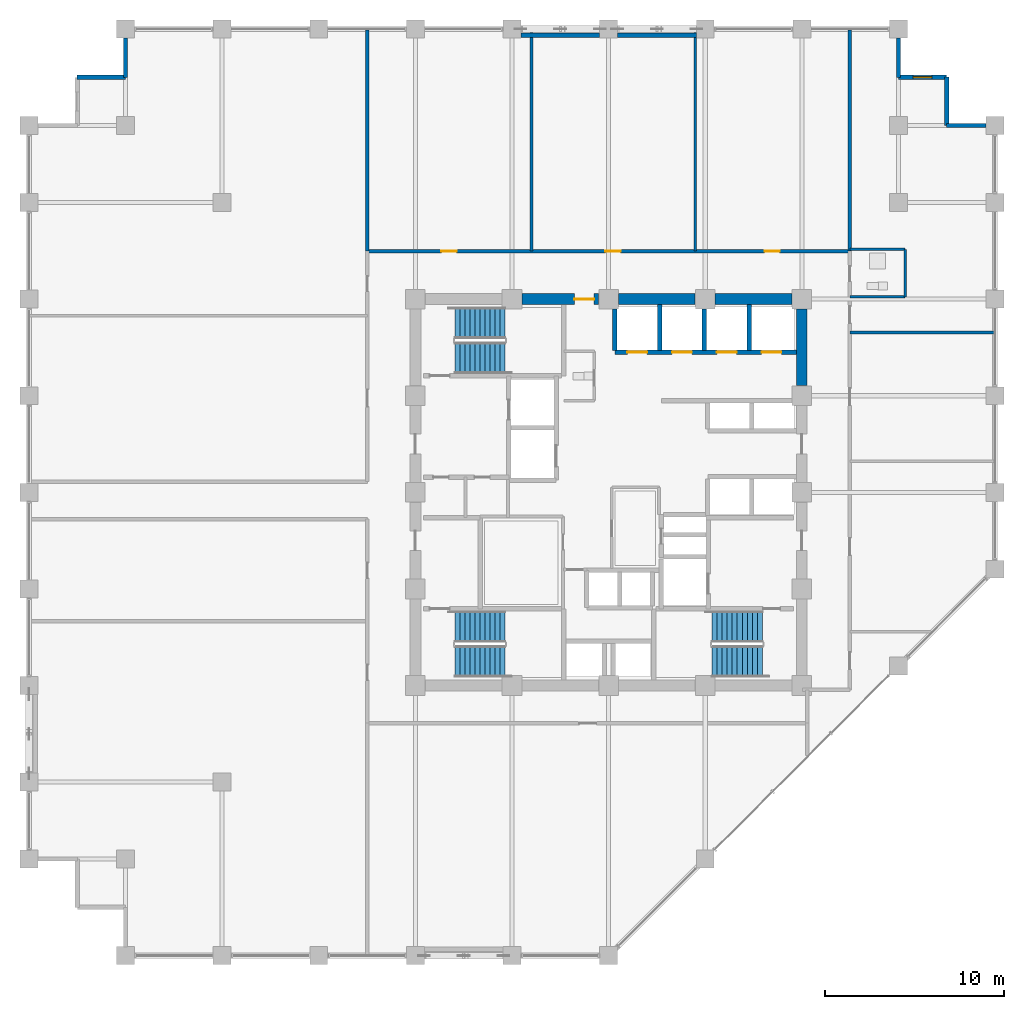
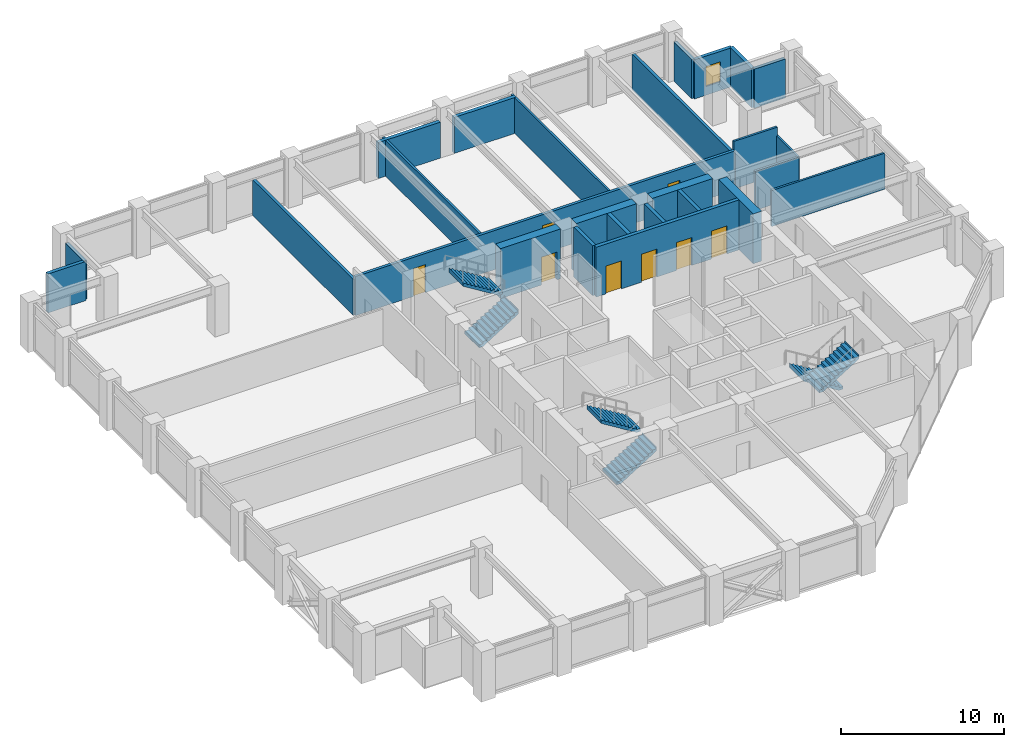
# One storey, part 21 of 23: 26 walls, 8 doors, 6 stair flights, 1 window, 9 openings, 3 elements without a shape of their own.
"""IFC4 building model written with IfcOpenShell, lengths in metres."""

import ifcopenshell
import ifcopenshell.guid

model = None  # the IFC model being written
_history = None  # IfcOwnerHistory: only IFC2X3 demands one
_inside = {}  # id of a spatial element -> (the spatial element, [elements in it])
_under = {}  # id of a project, library or spatial element -> (it, [spatial elements below it])
_declared = {}  # id of a project -> (the project, [libraries it declares])
_typed = {}  # id of a type object -> (the type object, [elements of that type])
_made_of = {}  # id of a material, layer set ... -> (it, [elements and type objects made of it])


def new_model(schema):
    """Start an empty IFC model of exactly this schema.

    Asked for "IFC4X3", IfcOpenShell would pick the latest addendum, in which some entities
    have other attributes; the version numbers below select the first issue.
    IFC2X3 requires an IfcOwnerHistory on every rooted entity: one is made here for all.
    """
    global model, _history
    if schema == "IFC4X3":
        model = ifcopenshell.file(schema_version=(4, 3, 0, 0))
    else:
        model = ifcopenshell.file(schema=schema)
    _inside.clear()
    _under.clear()
    _declared.clear()
    _typed.clear()
    _made_of.clear()
    _history = None
    if model.schema == "IFC2X3":
        org = make("IfcOrganization", Name="unknown")
        user = make(
            "IfcPersonAndOrganization",
            ThePerson=make("IfcPerson", FamilyName="unknown"),
            TheOrganization=org,
        )
        app = make(
            "IfcApplication",
            ApplicationDeveloper=org,
            Version="unknown",
            ApplicationFullName="unknown",
            ApplicationIdentifier="unknown",
        )
        _history = make(
            "IfcOwnerHistory",
            OwningUser=user,
            OwningApplication=app,
            ChangeAction="ADDED",
            CreationDate=0,
        )
    return model


def make(cls, **values):
    """One entity of the class cls with the attributes given. An attribute that is None is left unset."""
    return model.create_entity(
        cls, **{name: value for name, value in values.items() if value is not None}
    )


def rooted(cls, **values):
    """An entity with a GlobalId (a new one), such as an element, a storey or a relation."""
    return make(cls, GlobalId=ifcopenshell.guid.new(), OwnerHistory=_history, **values)


def si_unit(unit_type, name, prefix=None):
    """IfcSIUnit, for example si_unit("LENGTHUNIT", "METRE", prefix="MILLI")."""
    return make("IfcSIUnit", UnitType=unit_type, Prefix=prefix, Name=name)


def assignment(units):
    """IfcUnitAssignment: the units of a project."""
    return None if units is None else make("IfcUnitAssignment", Units=units)


def point(xyz):
    """IfcCartesianPoint."""
    return None if xyz is None else make("IfcCartesianPoint", Coordinates=xyz)


def direction(xyz):
    """IfcDirection."""
    return None if xyz is None else make("IfcDirection", DirectionRatios=xyz)


def frame(location, z_axis=None, x_axis=None):
    """IfcAxis2Placement3D, a coordinate frame: its origin and axes. An axis left out is left unset."""
    return make(
        "IfcAxis2Placement3D",
        Location=point(location),
        Axis=direction(z_axis),
        RefDirection=direction(x_axis),
    )


def frame_2d(location, x_axis=None):
    """IfcAxis2Placement2D, a coordinate frame in the plane: its origin and x axis."""
    return make(
        "IfcAxis2Placement2D", Location=point(location), RefDirection=direction(x_axis)
    )


def origin():
    """The frame at (0, 0, 0) with its axes left unset."""
    return frame((0.0, 0.0, 0.0))


def place(relative_to, where):
    """IfcLocalPlacement: puts the frame where relative to a parent placement (None: the world)."""
    return make(
        "IfcLocalPlacement", PlacementRelTo=relative_to, RelativePlacement=where
    )


def context(
    kind, dimensions, precision=None, world=None, true_north=None, identifier=None
):
    """IfcGeometricRepresentationContext, for example the 3D "Model" context."""
    return make(
        "IfcGeometricRepresentationContext",
        ContextIdentifier=identifier,
        ContextType=kind,
        CoordinateSpaceDimension=dimensions,
        Precision=precision,
        WorldCoordinateSystem=world,
        TrueNorth=true_north,
    )


def subcontext(parent, identifier, kind, view, scale=None):
    """IfcGeometricRepresentationSubContext, for example "Body" below "Model"."""
    return make(
        "IfcGeometricRepresentationSubContext",
        ContextIdentifier=identifier,
        ContextType=kind,
        ParentContext=parent,
        TargetScale=scale,
        TargetView=view,
    )


def project(units=None, contexts=None):
    """IfcProject with its units and contexts."""
    return rooted(
        "IfcProject",
        Name="project",
        RepresentationContexts=contexts,
        UnitsInContext=assignment(units),
    )


def spatial(cls, under=None, at=None, **own):
    """A site, building, storey or space (cls), placed at a placement, below another one or the project."""
    s = rooted(cls, ObjectPlacement=at, **own)
    if under is not None:
        _under.setdefault(under.id(), (under, []))[1].append(s)
    return s


def polyline(points):
    """IfcPolyline through the points."""
    return make("IfcPolyline", Points=[point(p) for p in points])


def profile(cls, at=None, kind="AREA", **sizes):
    """A parametric profile (cls). Its sizes go by their IFC names, for example OverallWidth=200.0."""
    return make(cls, ProfileType=kind, Position=at, **sizes)


def rectangle(**sizes):
    """IfcRectangleProfileDef."""
    return profile("IfcRectangleProfileDef", **sizes)


def outline(outer, holes=None, kind="AREA"):
    """IfcArbitraryClosedProfileDef: a profile drawn as a closed curve; with holes, ...WithVoids."""
    if holes is None:
        return make("IfcArbitraryClosedProfileDef", ProfileType=kind, OuterCurve=outer)
    return make(
        "IfcArbitraryProfileDefWithVoids",
        ProfileType=kind,
        OuterCurve=outer,
        InnerCurves=holes,
    )


def extrude(swept, where, along, depth):
    """IfcExtrudedAreaSolid: the profile swept, set in the frame where, extruded along a direction by depth."""
    return make(
        "IfcExtrudedAreaSolid",
        SweptArea=swept,
        Position=where,
        ExtrudedDirection=direction(along),
        Depth=depth,
    )


def shape(context_of_items, identifier, shape_type, items):
    """IfcShapeRepresentation: the items that make up one representation, for example the "Body"."""
    return make(
        "IfcShapeRepresentation",
        ContextOfItems=context_of_items,
        RepresentationIdentifier=identifier,
        RepresentationType=shape_type,
        Items=items,
    )


def material(Name=None, Category=None):
    """IfcMaterial."""
    return make("IfcMaterial", Name=Name, Category=Category)


def layer(
    of_material, thickness, ventilated=None, Name=None, Category=None, Priority=None
):
    """IfcMaterialLayer: one layer of a wall or slab, of a material (None: an air gap)."""
    return make(
        "IfcMaterialLayer",
        Material=of_material,
        LayerThickness=thickness,
        IsVentilated=ventilated,
        Name=Name,
        Category=Category,
        Priority=Priority,
    )


def layer_set(layers, Name=None):
    """IfcMaterialLayerSet."""
    return make("IfcMaterialLayerSet", MaterialLayers=layers, LayerSetName=Name)


def made_of(thing, what):
    """Note that an element or type object is made of a material, layer set ...; save() writes the relation."""
    if what is not None:
        _made_of.setdefault(what.id(), (what, []))[1].append(thing)
    return thing


def type_object(cls, material=None, **own):
    """A type object (cls), such as IfcWallType, which elements share."""
    return made_of(rooted(cls, **own), material)


def element(
    cls,
    number,
    at=None,
    inside=None,
    cuts=None,
    type_object=None,
    material=None,
    context=None,
    identifier="Body",
    shape_type=None,
    held_by="IfcProductDefinitionShape",
    body=None,
    shapes=None,
    **own,
):
    """One element of the class cls, such as IfcWall. Its Tag is "e" and its number.

    at: its placement. inside: the storey or other place that contains it. cuts: it is an
    opening in that element (IfcRelVoidsElement). A single representation is given by context,
    identifier, shape_type and body (its items); several are given by shapes. held_by: the class
    of the entity that holds the representations. save() writes the other relations.
    """
    e = rooted(cls, Tag="e%d" % number, ObjectPlacement=at, **own)
    if body is not None:
        shapes = [shape(context, identifier, shape_type, body)]
    if shapes is not None:
        e.Representation = make(held_by, Representations=shapes)
    if inside is not None:
        _inside.setdefault(inside.id(), (inside, []))[1].append(e)
    if cuts is not None:
        rooted(
            "IfcRelVoidsElement", RelatingBuildingElement=cuts, RelatedOpeningElement=e
        )
    if type_object is not None:
        _typed.setdefault(type_object.id(), (type_object, []))[1].append(e)
    return made_of(e, material)


def fill(opening, filler):
    """IfcRelFillsElement: the door or window that sits in an opening."""
    return rooted(
        "IfcRelFillsElement",
        RelatingOpeningElement=opening,
        RelatedBuildingElement=filler,
    )


def aggregate(whole, parts):
    """IfcRelAggregates: a whole, such as a stair, and the parts it consists of."""
    return rooted("IfcRelAggregates", RelatingObject=whole, RelatedObjects=parts)


def save(model, path):
    """Write the relations noted so far, then the file.

    IfcRelAggregates (storeys below a building ...), IfcRelContainedInSpatialStructure (elements
    in a storey), IfcRelDefinesByType, IfcRelAssociatesMaterial and IfcRelDeclares: one each for
    every whole, place, type object, material and project.
    """
    for whole, parts in _under.values():
        aggregate(whole, parts)
    for where, things in _inside.values():
        rooted(
            "IfcRelContainedInSpatialStructure",
            RelatedElements=things,
            RelatingStructure=where,
        )
    for kind, things in _typed.values():
        rooted("IfcRelDefinesByType", RelatedObjects=things, RelatingType=kind)
    for what, things in _made_of.values():
        rooted("IfcRelAssociatesMaterial", RelatedObjects=things, RelatingMaterial=what)
    for by, libraries in _declared.values():
        rooted("IfcRelDeclares", RelatingContext=by, RelatedDefinitions=libraries)
    model.write(path)


model = new_model("IFC4")

# Units and contexts
model_context = context("Model", 3, precision=1e-05, world=origin(), true_north=direction((0.0, 1.0)))
body_context = subcontext(model_context, "Body", "Model", "MODEL_VIEW")
ifc_project = project(units=[si_unit("LENGTHUNIT", "METRE"), si_unit("AREAUNIT", "SQUARE_METRE"), si_unit("VOLUMEUNIT", "CUBIC_METRE"), si_unit("PLANEANGLEUNIT", "RADIAN"), si_unit("MASSUNIT", "GRAM", prefix="KILO")], contexts=[model_context])

# Site, building, storey
site_placement = place(None, origin())
site = spatial("IfcSite", under=ifc_project, at=site_placement, CompositionType="ELEMENT")
building_placement = place(site_placement, origin())
building = spatial("IfcBuilding", under=site, at=building_placement, Name="Surkhivell Harbour Commons", CompositionType="ELEMENT")
storey_placement = place(building_placement, frame((0.0, 0.0, 135.75)))
storey = spatial("IfcBuildingStorey", under=building, at=storey_placement, Name="L35", CompositionType="ELEMENT", Elevation=135.75)

# Wall, opening, door
ifc_material_1 = material(Name="Concrete C60/75", Category="concrete")
ifc_layer_1 = layer(ifc_material_1, 0.60009765625)
ifc_layer_set_1 = layer_set([ifc_layer_1], Name="Concrete C60/75")
wall_type_1 = type_object("IfcWallType", Name="WAL-CORE-600", PredefinedType="SHEAR", material=ifc_layer_set_1)
wall_1_placement = place(storey_placement, frame((-4.840087890625, 10.800048828125, 0.0), z_axis=(0.0, 0.0, 1.0), x_axis=(1.0, 0.0, 0.0)))
wall_1 = element("IfcWall", 1, at=wall_1_placement, inside=storey, type_object=wall_type_1, Name="L35 Core Shear Wall North 2", PredefinedType="SHEAR", context=body_context, shape_type="SweptSolid", body=[
    extrude(rectangle(XDim=4.280029296875, YDim=0.60009765625, at=frame_2d((2.14013671875, 0.0))), origin(), (0.0, 0.0, 1.0), 3.75),
])
opening_1_placement = place(wall_1_placement, frame((2.929931640625, 0.0, 0.0)))
opening_1 = element("IfcOpeningElement", 2, at=opening_1_placement, cuts=wall_1, Name="Opening ID-2", PredefinedType="OPENING", context=body_context, shape_type="SweptSolid", body=[
    extrude(rectangle(XDim=1.10009765625, YDim=2.10009765625, at=frame_2d((0.550048828125, 1.050048828125))), frame((0.0, 0.31005859375, 0.0), z_axis=(0.0, -1.0, 0.0), x_axis=(1.0, 0.0, 0.0)), (0.0, 0.0, 1.0), 0.6201171875),
])
ifc_material_2 = material(Name="Hardwood-veneered fire-rated door leaf", Category="wood")
door_type_1 = type_object("IfcDoorType", Name="DOR-FD60-1100", OperationType="NOTDEFINED", PredefinedType="DOOR", material=ifc_material_2)
door_1_placement = place(opening_1_placement, origin())
door_1 = element("IfcDoor", 3, at=door_1_placement, inside=storey, type_object=door_type_1, Name="L35 Central Core Lift Hall North Corridor Door", OperationType="SINGLE_SWING_LEFT", OverallHeight=2.10009765625, OverallWidth=1.10009765625, PredefinedType="DOOR", context=body_context, shape_type="SweptSolid", body=[
    extrude(rectangle(XDim=1.10009765625, YDim=2.10009765625, at=frame_2d((0.550048828125, 1.050048828125))), frame((0.0, 0.02490234375, 0.0), z_axis=(0.0, -1.0, 0.0), x_axis=(1.0, 0.0, 0.0)), (0.0, 0.0, 1.0), 0.050048828125),
])
fill(opening_1, door_1)

# Walls
for number, where, z_axis, x_axis, name in (
    (4, (0.56005859375, 10.800048828125, 0.0), (0.0, 0.0, 1.0), (1.0, 0.0, 0.0), "L35 Core Shear Wall North 3"),
    (5, (5.9599609375, 10.800048828125, 0.0), (0.0, 0.0, 1.0), (1.0, 0.0, 0.0), "L35 Core Shear Wall North 4"),
    (6, (10.800048828125, 5.9599609375, 0.0), (0.0, 0.0, 1.0), (0.0, 1.0, 0.0), "L35 Core Shear Wall East 4"),
):
    element("IfcWall", number, at=place(storey_placement, frame(where, z_axis=z_axis, x_axis=x_axis)), inside=storey, type_object=wall_type_1, Name=name, PredefinedType="SHEAR", context=body_context, shape_type="SweptSolid", body=[
        extrude(rectangle(XDim=4.280029296875, YDim=0.60009765625, at=frame_2d((2.14013671875, 0.0))), origin(), (0.0, 0.0, 1.0), 3.75),
    ])
ifc_material_3 = material(Name="Pale-metal insulated precast concrete C45/55", Category="concrete")
ifc_layer_2 = layer(ifc_material_3, 0.260009765625)
ifc_layer_set_2 = layer_set([ifc_layer_2], Name="Pale-metal insulated precast concrete C45/55")
wall_type_2 = type_object("IfcWallType", Name="WAL-EXT-MTL260", PredefinedType="STANDARD", material=ifc_layer_set_2)
for number, where, z_axis, x_axis, name in (
    (7, (-0.498046875, 25.5400390625, 0.0), (0.0, 0.0, 1.0), (-1.0, 0.0, 0.0), "L35 Braced-Bay Insulated Spandrel Backing N"),
    (8, (4.902099609375, 25.5400390625, 0.0), (0.0, 0.0, 1.0), (-1.0, 0.0, 0.0), "L35 Braced-Bay Insulated Spandrel Backing N2"),
):
    element("IfcWall", number, at=place(storey_placement, frame(where, z_axis=z_axis, x_axis=x_axis)), inside=storey, type_object=wall_type_2, Name=name, PredefinedType="STANDARD", context=body_context, shape_type="SweptSolid", body=[
        extrude(rectangle(XDim=4.404052734375, YDim=0.260009765625, at=frame_2d((2.2021484375, 0.0))), origin(), (0.0, 0.0, 1.0), 2.698974609375),
    ])
ifc_material_4 = material(Name="Bronze-ochre cassette precast concrete C45/55", Category="concrete")
ifc_layer_3 = layer(ifc_material_4, 0.239990234375)
ifc_layer_set_3 = layer_set([ifc_layer_3], Name="Bronze-ochre cassette precast concrete C45/55")
wall_type_3 = type_object("IfcWallType", Name="WAL-EXT-OCH240", PredefinedType="STANDARD", material=ifc_layer_set_3)
wall_2_placement = place(storey_placement, frame((21.10205078125, 20.5, 0.0), z_axis=(0.0, 0.0, 1.0), x_axis=(-1.0, 0.0, 0.0)))
element("IfcWall", 9, at=wall_2_placement, inside=storey, type_object=wall_type_3, Name="L35 Serrated Corner Facade Wall 03", PredefinedType="STANDARD", context=body_context, shape_type="SweptSolid", body=[
    extrude(rectangle(XDim=2.2021484375, YDim=0.239990234375, at=frame_2d((1.10107421875, 0.0))), origin(), (0.0, 0.0, 1.0), 2.93310546875),
])
wall_3_placement = place(storey_placement, frame((18.89990234375, 20.5, 0.0), z_axis=(0.0, 0.0, 1.0), x_axis=(0.0, 1.0, 0.0)))
element("IfcWall", 10, at=wall_3_placement, inside=storey, type_object=wall_type_3, Name="L35 Serrated Corner Facade Wall 04", PredefinedType="STANDARD", context=body_context, shape_type="SweptSolid", body=[
    extrude(rectangle(XDim=2.699951171875, YDim=0.239990234375, at=frame_2d((1.35009765625, 0.0))), origin(), (0.0, 0.0, 1.0), 2.93310546875),
])

# Wall, opening, window
wall_4_placement = place(storey_placement, frame((18.89990234375, 23.199951171875, 0.0), z_axis=(0.0, 0.0, 1.0), x_axis=(-1.0, 0.0, 0.0)))
wall_4 = element("IfcWall", 11, at=wall_4_placement, inside=storey, type_object=wall_type_3, Name="L35 Serrated Corner Facade Wall 05", PredefinedType="STANDARD", context=body_context, shape_type="SweptSolid", body=[
    extrude(rectangle(XDim=2.699951171875, YDim=0.239990234375, at=frame_2d((1.35009765625, 0.0))), origin(), (0.0, 0.0, 1.0), 2.93310546875),
])
opening_2_placement = place(wall_4_placement, frame((0.824951171875, 0.0, 0.64990234375)))
opening_2 = element("IfcOpeningElement", 12, at=opening_2_placement, cuts=wall_4, Name="Opening WN-11", PredefinedType="OPENING", context=body_context, shape_type="SweptSolid", body=[
    extrude(rectangle(XDim=1.050048828125, YDim=1.5, at=frame_2d((0.52490234375, 0.75))), frame((0.0, 0.1298828125, 0.0), z_axis=(0.0, -1.0, 0.0), x_axis=(1.0, 0.0, 0.0)), (0.0, 0.0, 1.0), 0.260009765625),
])
ifc_material_5 = material(Name="Thermal-break aluminium frame and double low-E glazing", Category="aluminium")
window_type = type_object("IfcWindowType", Name="WIN-SER-1050x1500", PartitioningType="SINGLE_PANEL", PredefinedType="WINDOW", material=ifc_material_5)
window_placement = place(opening_2_placement, origin())
window = element("IfcWindow", 13, at=window_placement, inside=storey, type_object=window_type, Name="L35 Serrated Alcove Window 05", OverallHeight=1.5, OverallWidth=1.050048828125, PartitioningType="SINGLE_PANEL", PredefinedType="WINDOW", context=body_context, shape_type="SweptSolid", body=[
    extrude(rectangle(XDim=1.050048828125, YDim=1.5, at=frame_2d((0.52490234375, 0.75))), frame((0.0, 0.030029296875, 0.0), z_axis=(0.0, -1.0, 0.0), x_axis=(1.0, 0.0, 0.0)), (0.0, 0.0, 1.0), 0.06005859375),
])
fill(opening_2, window)

# Walls
for number, where, z_axis, x_axis, name in (
    (14, (16.199951171875, 23.199951171875, 0.0), (0.0, 0.0, 1.0), (0.0, 1.0, 0.0), "L35 Serrated Corner Facade Wall 06"),
    (15, (-27.0, 25.402099609375, 0.0), (0.0, 0.0, 1.0), (0.0, -1.0, 0.0), "L35 Serrated Corner Facade Wall 08"),
):
    element("IfcWall", number, at=place(storey_placement, frame(where, z_axis=z_axis, x_axis=x_axis)), inside=storey, type_object=wall_type_3, Name=name, PredefinedType="STANDARD", context=body_context, shape_type="SweptSolid", body=[
        extrude(rectangle(XDim=2.2021484375, YDim=0.239990234375, at=frame_2d((1.10107421875, 0.0))), origin(), (0.0, 0.0, 1.0), 2.93310546875),
    ])
wall_5_placement = place(storey_placement, frame((-27.0, 23.199951171875, 0.0), z_axis=(0.0, 0.0, 1.0), x_axis=(-1.0, 0.0, 0.0)))
element("IfcWall", 16, at=wall_5_placement, inside=storey, type_object=wall_type_3, Name="L35 Serrated Corner Facade Wall 09", PredefinedType="STANDARD", context=body_context, shape_type="SweptSolid", body=[
    extrude(rectangle(XDim=2.699951171875, YDim=0.239990234375, at=frame_2d((1.35009765625, 0.0))), origin(), (0.0, 0.0, 1.0), 2.93310546875),
])
ifc_material_6 = material(Name="Twin-stud acoustic fireboard partition", Category="other")
ifc_layer_4 = layer(ifc_material_6, 0.14990234375)
ifc_layer_set_4 = layer_set([ifc_layer_4], Name="Twin-stud acoustic fireboard partition")
wall_type_4 = type_object("IfcWallType", Name="WAL-INT-150", PredefinedType="PARTITIONING", material=ifc_layer_set_4)
wall_6_placement = place(storey_placement, frame((16.580078125, 10.929931640625, 0.0), z_axis=(0.0, 0.0, 1.0), x_axis=(0.0, 1.0, 0.0)))
element("IfcWall", 17, at=wall_6_placement, inside=storey, type_object=wall_type_4, Name="L35 East Partition BTHB", PredefinedType="PARTITIONING", context=body_context, shape_type="SweptSolid", body=[
    extrude(rectangle(XDim=2.650146484375, YDim=0.14990234375, at=frame_2d((1.3251953125, 0.0))), origin(), (0.0, 0.0, 1.0), 2.93310546875),
])
wall_7_placement = place(storey_placement, frame((13.47998046875, 13.580078125, 0.0), z_axis=(0.0, 0.0, 1.0), x_axis=(1.0, 0.0, 0.0)))
element("IfcWall", 18, at=wall_7_placement, inside=storey, type_object=wall_type_4, Name="L35 East Partition BTHN", PredefinedType="PARTITIONING", context=body_context, shape_type="SweptSolid", body=[
    extrude(rectangle(XDim=3.10009765625, YDim=0.14990234375, at=frame_2d((1.550048828125, 0.0))), origin(), (0.0, 0.0, 1.0), 3.570068359375),
])
wall_8_placement = place(storey_placement, frame((13.47998046875, 10.929931640625, 0.0), z_axis=(0.0, 0.0, 1.0), x_axis=(1.0, 0.0, 0.0)))
element("IfcWall", 19, at=wall_8_placement, inside=storey, type_object=wall_type_4, Name="L35 East Partition BTHS", PredefinedType="PARTITIONING", context=body_context, shape_type="SweptSolid", body=[
    extrude(rectangle(XDim=3.10009765625, YDim=0.14990234375, at=frame_2d((1.550048828125, 0.0))), origin(), (0.0, 0.0, 1.0), 2.93310546875),
])
wall_9_placement = place(storey_placement, frame((13.47998046875, 8.929931640625, 0.0), z_axis=(0.0, 0.0, 1.0), x_axis=(1.0, 0.0, 0.0)))
element("IfcWall", 20, at=wall_9_placement, inside=storey, type_object=wall_type_4, Name="L35 East Partition PTOP", PredefinedType="PARTITIONING", context=body_context, shape_type="SweptSolid", body=[
    extrude(rectangle(XDim=8.06005859375, YDim=0.14990234375, at=frame_2d((4.030029296875, 0.0))), origin(), (0.0, 0.0, 1.0), 2.698974609375),
])
for number, where, z_axis, x_axis, name in (
    (21, (-4.31005859375, 13.47998046875, 0.0), (0.0, 0.0, 1.0), (0.0, 1.0, 0.0), "L35 North Partition P1"),
    (22, (4.85009765625, 13.47998046875, 0.0), (0.0, 0.0, 1.0), (0.0, 1.0, 0.0), "L35 North Partition P2"),
):
    element("IfcWall", number, at=place(storey_placement, frame(where, z_axis=z_axis, x_axis=x_axis)), inside=storey, type_object=wall_type_4, Name=name, PredefinedType="PARTITIONING", context=body_context, shape_type="SweptSolid", body=[
        extrude(rectangle(XDim=12.360107421875, YDim=0.14990234375, at=frame_2d((6.18017578125, 0.0))), origin(), (0.0, 0.0, 1.0), 2.698974609375),
    ])
ifc_material_7 = material(Name="Autoclaved aerated concrete blockwork and fire plaster", Category="masonry")
ifc_layer_5 = layer(ifc_material_7, 0.199951171875)
ifc_layer_set_5 = layer_set([ifc_layer_5], Name="Autoclaved aerated concrete blockwork and fire plaster")
wall_type_5 = type_object("IfcWallType", Name="WAL-INT-200", PredefinedType="PARTITIONING", material=ifc_layer_set_5)
for number, where, z_axis, x_axis, name in (
    (23, (13.47998046875, 13.47998046875, 0.0), (0.0, 0.0, 1.0), (0.0, 1.0, 0.0), "L35 North-East Wing Corner Divider"),
    (24, (-13.47998046875, 13.47998046875, 0.0), (0.0, 0.0, 1.0), (0.0, 1.0, 0.0), "L35 North-West Wing Corner Divider"),
):
    element("IfcWall", number, at=place(storey_placement, frame(where, z_axis=z_axis, x_axis=x_axis)), inside=storey, type_object=wall_type_5, Name=name, PredefinedType="PARTITIONING", context=body_context, shape_type="SweptSolid", body=[
        extrude(rectangle(XDim=12.360107421875, YDim=0.199951171875, at=frame_2d((6.18017578125, 0.0))), origin(), (0.0, 0.0, 1.0), 2.698974609375),
    ])

# Wall, openings, doors
wall_10_placement = place(storey_placement, frame((-13.47998046875, 13.47998046875, 0.0), z_axis=(0.0, 0.0, 1.0), x_axis=(1.0, 0.0, 0.0)))
wall_10 = element("IfcWall", 25, at=wall_10_placement, inside=storey, type_object=wall_type_5, Name="L35 Corridor North Wall", PredefinedType="PARTITIONING", context=body_context, shape_type="SweptSolid", body=[
    extrude(rectangle(XDim=26.9599609375, YDim=0.199951171875, at=frame_2d((13.47998046875, 0.0))), origin(), (0.0, 0.0, 1.0), 2.93310546875),
])
opening_3_placement = place(wall_10_placement, frame((4.135009765625, 0.0, 0.0)))
opening_3 = element("IfcOpeningElement", 26, at=opening_3_placement, cuts=wall_10, Name="Opening ID-6", PredefinedType="OPENING", context=body_context, shape_type="SweptSolid", body=[
    extrude(rectangle(XDim=0.85009765625, YDim=2.10009765625, at=frame_2d((0.425048828125, 1.050048828125))), frame((0.0, 0.10986328125, 0.0), z_axis=(0.0, -1.0, 0.0), x_axis=(1.0, 0.0, 0.0)), (0.0, 0.0, 1.0), 0.219970703125),
])
opening_4_placement = place(wall_10_placement, frame((13.300048828125, 0.0, 0.0)))
opening_4 = element("IfcOpeningElement", 27, at=opening_4_placement, cuts=wall_10, Name="Opening ID-6", PredefinedType="OPENING", context=body_context, shape_type="SweptSolid", body=[
    extrude(rectangle(XDim=0.85009765625, YDim=2.10009765625, at=frame_2d((0.425048828125, 1.050048828125))), frame((0.0, 0.10986328125, 0.0), z_axis=(0.0, -1.0, 0.0), x_axis=(1.0, 0.0, 0.0)), (0.0, 0.0, 1.0), 0.219970703125),
])
opening_5_placement = place(wall_10_placement, frame((22.195068359375, 0.0, 0.0)))
opening_5 = element("IfcOpeningElement", 28, at=opening_5_placement, cuts=wall_10, Name="Opening ID-6", PredefinedType="OPENING", context=body_context, shape_type="SweptSolid", body=[
    extrude(rectangle(XDim=0.85009765625, YDim=2.10009765625, at=frame_2d((0.425048828125, 1.050048828125))), frame((0.0, 0.10986328125, 0.0), z_axis=(0.0, -1.0, 0.0), x_axis=(1.0, 0.0, 0.0)), (0.0, 0.0, 1.0), 0.219970703125),
])
door_type_2 = type_object("IfcDoorType", Name="DOR-FD30-850", OperationType="NOTDEFINED", PredefinedType="DOOR", material=ifc_material_2)
door_2_placement = place(opening_3_placement, origin())
door_2 = element("IfcDoor", 29, at=door_2_placement, inside=storey, type_object=door_type_2, Name="L35 Academic Seminar Room 1 North Door", OperationType="SINGLE_SWING_LEFT", OverallHeight=2.10009765625, OverallWidth=0.85009765625, PredefinedType="DOOR", context=body_context, shape_type="SweptSolid", body=[
    extrude(rectangle(XDim=0.85009765625, YDim=2.10009765625, at=frame_2d((0.425048828125, 1.050048828125))), frame((0.0, 0.02490234375, 0.0), z_axis=(0.0, -1.0, 0.0), x_axis=(1.0, 0.0, 0.0)), (0.0, 0.0, 1.0), 0.050048828125),
])
fill(opening_3, door_2)
door_3_placement = place(opening_4_placement, origin())
door_3 = element("IfcDoor", 30, at=door_3_placement, inside=storey, type_object=door_type_2, Name="L35 Academic Seminar Room 2 North Door", OperationType="SINGLE_SWING_RIGHT", OverallHeight=2.10009765625, OverallWidth=0.85009765625, PredefinedType="DOOR", context=body_context, shape_type="SweptSolid", body=[
    extrude(rectangle(XDim=0.85009765625, YDim=2.10009765625, at=frame_2d((0.425048828125, 1.050048828125))), frame((0.0, 0.02490234375, 0.0), z_axis=(0.0, -1.0, 0.0), x_axis=(1.0, 0.0, 0.0)), (0.0, 0.0, 1.0), 0.050048828125),
])
fill(opening_4, door_3)
door_4_placement = place(opening_5_placement, origin())
door_4 = element("IfcDoor", 31, at=door_4_placement, inside=storey, type_object=door_type_2, Name="L35 Academic Seminar Room 3 North Door", OperationType="SINGLE_SWING_LEFT", OverallHeight=2.10009765625, OverallWidth=0.85009765625, PredefinedType="DOOR", context=body_context, shape_type="SweptSolid", body=[
    extrude(rectangle(XDim=0.85009765625, YDim=2.10009765625, at=frame_2d((0.425048828125, 1.050048828125))), frame((0.0, 0.02490234375, 0.0), z_axis=(0.0, -1.0, 0.0), x_axis=(1.0, 0.0, 0.0)), (0.0, 0.0, 1.0), 0.050048828125),
])
fill(opening_5, door_4)

# Walls
ifc_material_8 = material(Name="Concrete C50/60", Category="concrete")
ifc_layer_6 = layer(ifc_material_8, 0.25)
ifc_layer_set_6 = layer_set([ifc_layer_6], Name="Concrete C50/60")
wall_type_6 = type_object("IfcWallType", Name="WAL-SHAFT-250", PredefinedType="SHEAR", material=ifc_layer_set_6)
wall_11_placement = place(storey_placement, frame((2.85009765625, 7.93994140625, 0.0), z_axis=(0.0, 0.0, 1.0), x_axis=(0.0, 1.0, 0.0)))
element("IfcWall", 32, at=wall_11_placement, inside=storey, type_object=wall_type_6, Name="L35 Low-Rise Hoistway Wall", PredefinedType="SHEAR", context=body_context, shape_type="SweptSolid", body=[
    extrude(rectangle(XDim=2.56005859375, YDim=0.25, at=frame_2d((1.280029296875, 0.0))), origin(), (0.0, 0.0, 1.0), 3.75),
])
for number, where, z_axis, x_axis, name in (
    (33, (0.35009765625, 7.93994140625, 0.0), (0.0, 0.0, 1.0), (0.0, 1.0, 0.0), "L35 Low-Rise Hoistway Wall"),
    (34, (5.35009765625, 7.93994140625, 0.0), (0.0, 0.0, 1.0), (0.0, 1.0, 0.0), "L35 Low-Rise Hoistway Wall"),
):
    element("IfcWall", number, at=place(storey_placement, frame(where, z_axis=z_axis, x_axis=x_axis)), inside=storey, type_object=wall_type_6, Name=name, PredefinedType="SHEAR", context=body_context, shape_type="SweptSolid", body=[
        extrude(rectangle(XDim=2.31005859375, YDim=0.25, at=frame_2d((1.155029296875, 0.0))), origin(), (0.0, 0.0, 1.0), 3.75),
    ])
wall_12_placement = place(storey_placement, frame((7.85009765625, 7.93994140625, 0.0), z_axis=(0.0, 0.0, 1.0), x_axis=(0.0, 1.0, 0.0)))
element("IfcWall", 35, at=wall_12_placement, inside=storey, type_object=wall_type_6, Name="L35 Low-Rise Hoistway Wall", PredefinedType="SHEAR", context=body_context, shape_type="SweptSolid", body=[
    extrude(rectangle(XDim=2.56005859375, YDim=0.25, at=frame_2d((1.280029296875, 0.0))), origin(), (0.0, 0.0, 1.0), 3.75),
])

# Wall, openings, doors
wall_13_placement = place(storey_placement, frame((0.35009765625, 7.820068359375, 0.0), z_axis=(0.0, 0.0, 1.0), x_axis=(1.0, 0.0, 0.0)))
wall_13 = element("IfcWall", 36, at=wall_13_placement, inside=storey, type_object=wall_type_6, Name="L35 Low-Rise Lift Front Shaft Wall", PredefinedType="SHEAR", context=body_context, shape_type="SweptSolid", body=[
    extrude(rectangle(XDim=10.14990234375, YDim=0.25, at=frame_2d((5.074951171875, 0.0))), origin(), (0.0, 0.0, 1.0), 3.75),
])
opening_6_placement = place(wall_13_placement, frame((0.699951171875, 0.0, 0.0)))
opening_6 = element("IfcOpeningElement", 37, at=opening_6_placement, cuts=wall_13, Name="Opening LD-1", PredefinedType="OPENING", context=body_context, shape_type="SweptSolid", body=[
    extrude(rectangle(XDim=1.10009765625, YDim=2.10009765625, at=frame_2d((0.550048828125, 1.050048828125))), frame((0.0, 0.135009765625, 0.0), z_axis=(0.0, -1.0, 0.0), x_axis=(1.0, 0.0, 0.0)), (0.0, 0.0, 1.0), 0.27001953125),
])
opening_7_placement = place(wall_13_placement, frame((3.199951171875, 0.0, 0.0)))
opening_7 = element("IfcOpeningElement", 38, at=opening_7_placement, cuts=wall_13, Name="Opening LD-1", PredefinedType="OPENING", context=body_context, shape_type="SweptSolid", body=[
    extrude(rectangle(XDim=1.10009765625, YDim=2.10009765625, at=frame_2d((0.550048828125, 1.050048828125))), frame((0.0, 0.135009765625, 0.0), z_axis=(0.0, -1.0, 0.0), x_axis=(1.0, 0.0, 0.0)), (0.0, 0.0, 1.0), 0.27001953125),
])
opening_8_placement = place(wall_13_placement, frame((5.699951171875, 0.0, 0.0)))
opening_8 = element("IfcOpeningElement", 39, at=opening_8_placement, cuts=wall_13, Name="Opening LD-1", PredefinedType="OPENING", context=body_context, shape_type="SweptSolid", body=[
    extrude(rectangle(XDim=1.10009765625, YDim=2.10009765625, at=frame_2d((0.550048828125, 1.050048828125))), frame((0.0, 0.135009765625, 0.0), z_axis=(0.0, -1.0, 0.0), x_axis=(1.0, 0.0, 0.0)), (0.0, 0.0, 1.0), 0.27001953125),
])
opening_9_placement = place(wall_13_placement, frame((8.199951171875, 0.0, 0.0)))
opening_9 = element("IfcOpeningElement", 40, at=opening_9_placement, cuts=wall_13, Name="Opening LD-1", PredefinedType="OPENING", context=body_context, shape_type="SweptSolid", body=[
    extrude(rectangle(XDim=1.10009765625, YDim=2.10009765625, at=frame_2d((0.550048828125, 1.050048828125))), frame((0.0, 0.135009765625, 0.0), z_axis=(0.0, -1.0, 0.0), x_axis=(1.0, 0.0, 0.0)), (0.0, 0.0, 1.0), 0.27001953125),
])
ifc_material_9 = material(Name="Brushed stainless steel S355", Category="steel")
door_type_3 = type_object("IfcDoorType", Name="DOR-LD-1100", OperationType="SLIDING_TO_LEFT", PredefinedType="DOOR", material=ifc_material_9)
door_5_placement = place(opening_6_placement, origin())
door_5 = element("IfcDoor", 41, at=door_5_placement, inside=storey, type_object=door_type_3, Name="L35 Lift Landing Door LD-PL1", OperationType="SLIDING_TO_LEFT", OverallHeight=2.10009765625, OverallWidth=1.10009765625, PredefinedType="DOOR", context=body_context, shape_type="SweptSolid", body=[
    extrude(rectangle(XDim=1.10009765625, YDim=2.10009765625, at=frame_2d((0.550048828125, 1.050048828125))), frame((0.0, 0.02490234375, 0.0), z_axis=(0.0, -1.0, 0.0), x_axis=(1.0, 0.0, 0.0)), (0.0, 0.0, 1.0), 0.050048828125),
])
fill(opening_6, door_5)
door_6_placement = place(opening_7_placement, origin())
door_6 = element("IfcDoor", 42, at=door_6_placement, inside=storey, type_object=door_type_3, Name="L35 Lift Landing Door LD-PL2", OperationType="SLIDING_TO_LEFT", OverallHeight=2.10009765625, OverallWidth=1.10009765625, PredefinedType="DOOR", context=body_context, shape_type="SweptSolid", body=[
    extrude(rectangle(XDim=1.10009765625, YDim=2.10009765625, at=frame_2d((0.550048828125, 1.050048828125))), frame((0.0, 0.02490234375, 0.0), z_axis=(0.0, -1.0, 0.0), x_axis=(1.0, 0.0, 0.0)), (0.0, 0.0, 1.0), 0.050048828125),
])
fill(opening_7, door_6)
door_7_placement = place(opening_8_placement, origin())
door_7 = element("IfcDoor", 43, at=door_7_placement, inside=storey, type_object=door_type_3, Name="L35 Lift Landing Door LD-PL3", OperationType="SLIDING_TO_LEFT", OverallHeight=2.10009765625, OverallWidth=1.10009765625, PredefinedType="DOOR", context=body_context, shape_type="SweptSolid", body=[
    extrude(rectangle(XDim=1.10009765625, YDim=2.10009765625, at=frame_2d((0.550048828125, 1.050048828125))), frame((0.0, 0.02490234375, 0.0), z_axis=(0.0, -1.0, 0.0), x_axis=(1.0, 0.0, 0.0)), (0.0, 0.0, 1.0), 0.050048828125),
])
fill(opening_8, door_7)
door_8_placement = place(opening_9_placement, origin())
door_8 = element("IfcDoor", 44, at=door_8_placement, inside=storey, type_object=door_type_3, Name="L35 Lift Landing Door LD-PL4", OperationType="SLIDING_TO_LEFT", OverallHeight=2.10009765625, OverallWidth=1.10009765625, PredefinedType="DOOR", context=body_context, shape_type="SweptSolid", body=[
    extrude(rectangle(XDim=1.10009765625, YDim=2.10009765625, at=frame_2d((0.550048828125, 1.050048828125))), frame((0.0, 0.02490234375, 0.0), z_axis=(0.0, -1.0, 0.0), x_axis=(1.0, 0.0, 0.0)), (0.0, 0.0, 1.0), 0.050048828125),
])
fill(opening_9, door_8)

# Stair, stair flights
ifc_material_10 = material(Name="Precast concrete C45/55", Category="concrete")
stair_type = type_object("IfcStairType", Name="STR-DL-375", PredefinedType="HALF_TURN_STAIR", material=ifc_material_10)
stair_1_placement = place(storey_placement, origin())
stair_1 = element("IfcStair", 45, at=stair_1_placement, inside=storey, type_object=stair_type, Name="L35 Core Exit Stair ST1", PredefinedType="HALF_TURN_STAIR")
stair_flight_type = type_object("IfcStairFlightType", Name="STF-DL-375", PredefinedType="STRAIGHT", material=ifc_material_10)
stair_flight_1_placement = place(storey_placement, frame((-8.590087890625, 7.514892578125, 0.0), z_axis=(0.0, 0.0, 1.0), x_axis=(1.0, 0.0, 0.0)))
stair_flight_1 = element("IfcStairFlight", 46, at=stair_flight_1_placement, type_object=stair_flight_type, Name="ST1 flight 1", NumberOfRisers=11, NumberOfTreads=10, PredefinedType="STRAIGHT", RiserHeight=0.170454545, TreadLength=0.28, context=body_context, shape_type="SweptSolid", body=[
    extrude(outline(polyline([(-0.0029296875, -0.034912109375), (-0.0029296875, 0.0), (0.0, 0.0), (0.0, 0.17041015625), (0.280029296875, 0.17041015625), (0.280029296875, 0.3408203125), (0.56005859375, 0.3408203125), (0.56005859375, 0.511474609375), (0.840087890625, 0.511474609375), (0.840087890625, 0.681884765625), (1.1201171875, 0.681884765625), (1.1201171875, 0.852294921875), (1.39990234375, 0.852294921875), (1.39990234375, 1.022705078125), (1.679931640625, 1.022705078125), (1.679931640625, 1.193115234375), (1.9599609375, 1.193115234375), (1.9599609375, 1.363525390625), (2.239990234375, 1.363525390625), (2.239990234375, 1.5341796875), (2.52001953125, 1.5341796875), (2.52001953125, 1.70458984375), (2.800048828125, 1.70458984375), (2.800048828125, 1.875), (2.802978515625, 1.875), (2.802978515625, 1.529052734375), (0.288330078125, -0.034912109375), (-0.0029296875, -0.034912109375)])), frame((0.0, 0.875, 0.0), z_axis=(0.0, -1.0, 0.0), x_axis=(1.0, 0.0, 0.0)), (0.0, 0.0, 1.0), 1.75),
])
stair_flight_2_placement = place(storey_placement, frame((-5.7900390625, 9.465087890625, 1.875), z_axis=(0.0, 0.0, 1.0), x_axis=(-1.0, 0.0, 0.0)))
stair_flight_2 = element("IfcStairFlight", 47, at=stair_flight_2_placement, type_object=stair_flight_type, Name="ST1 flight 2", NumberOfRisers=11, NumberOfTreads=10, PredefinedType="STRAIGHT", RiserHeight=0.170454545, TreadLength=0.28, context=body_context, shape_type="SweptSolid", body=[
    extrude(outline(polyline([(-0.0029296875, -0.034912109375), (-0.0029296875, 0.0), (0.0, 0.0), (0.0, 0.17041015625), (0.280029296875, 0.17041015625), (0.280029296875, 0.3408203125), (0.56005859375, 0.3408203125), (0.56005859375, 0.511474609375), (0.840087890625, 0.511474609375), (0.840087890625, 0.681884765625), (1.1201171875, 0.681884765625), (1.1201171875, 0.852294921875), (1.39990234375, 0.852294921875), (1.39990234375, 1.022705078125), (1.679931640625, 1.022705078125), (1.679931640625, 1.193115234375), (1.9599609375, 1.193115234375), (1.9599609375, 1.363525390625), (2.239990234375, 1.363525390625), (2.239990234375, 1.5341796875), (2.52001953125, 1.5341796875), (2.52001953125, 1.70458984375), (2.800048828125, 1.70458984375), (2.800048828125, 1.875), (2.802978515625, 1.875), (2.802978515625, 1.529052734375), (0.288330078125, -0.034912109375), (-0.0029296875, -0.034912109375)])), frame((0.0, 0.875, 0.0), z_axis=(0.0, -1.0, 0.0), x_axis=(1.0, 0.0, 0.0)), (0.0, 0.0, 1.0), 1.75),
])
aggregate(stair_1, [stair_flight_1, stair_flight_2])

stair_2_placement = place(storey_placement, origin())
stair_2 = element("IfcStair", 48, at=stair_2_placement, inside=storey, type_object=stair_type, Name="L35 Core Exit Stair ST2", PredefinedType="HALF_TURN_STAIR")
stair_flight_3_placement = place(storey_placement, frame((8.590087890625, -7.514892578125, 0.0), z_axis=(0.0, 0.0, 1.0), x_axis=(-1.0, 0.0, 0.0)))
stair_flight_3 = element("IfcStairFlight", 49, at=stair_flight_3_placement, type_object=stair_flight_type, Name="ST2 flight 1", NumberOfRisers=11, NumberOfTreads=10, PredefinedType="STRAIGHT", RiserHeight=0.170454545, TreadLength=0.28, context=body_context, shape_type="SweptSolid", body=[
    extrude(outline(polyline([(-0.0029296875, -0.034912109375), (-0.0029296875, 0.0), (0.0, 0.0), (0.0, 0.17041015625), (0.280029296875, 0.17041015625), (0.280029296875, 0.3408203125), (0.56005859375, 0.3408203125), (0.56005859375, 0.511474609375), (0.840087890625, 0.511474609375), (0.840087890625, 0.681884765625), (1.1201171875, 0.681884765625), (1.1201171875, 0.852294921875), (1.39990234375, 0.852294921875), (1.39990234375, 1.022705078125), (1.679931640625, 1.022705078125), (1.679931640625, 1.193115234375), (1.9599609375, 1.193115234375), (1.9599609375, 1.363525390625), (2.239990234375, 1.363525390625), (2.239990234375, 1.5341796875), (2.52001953125, 1.5341796875), (2.52001953125, 1.70458984375), (2.800048828125, 1.70458984375), (2.800048828125, 1.875), (2.802978515625, 1.875), (2.802978515625, 1.529052734375), (0.288330078125, -0.034912109375), (-0.0029296875, -0.034912109375)])), frame((0.0, 0.875, 0.0), z_axis=(0.0, -1.0, 0.0), x_axis=(1.0, 0.0, 0.0)), (0.0, 0.0, 1.0), 1.75),
])
stair_flight_4_placement = place(storey_placement, frame((5.7900390625, -9.465087890625, 1.875), z_axis=(0.0, 0.0, 1.0), x_axis=(1.0, 0.0, 0.0)))
stair_flight_4 = element("IfcStairFlight", 50, at=stair_flight_4_placement, type_object=stair_flight_type, Name="ST2 flight 2", NumberOfRisers=11, NumberOfTreads=10, PredefinedType="STRAIGHT", RiserHeight=0.170454545, TreadLength=0.28, context=body_context, shape_type="SweptSolid", body=[
    extrude(outline(polyline([(-0.0029296875, -0.034912109375), (-0.0029296875, 0.0), (0.0, 0.0), (0.0, 0.17041015625), (0.280029296875, 0.17041015625), (0.280029296875, 0.3408203125), (0.56005859375, 0.3408203125), (0.56005859375, 0.511474609375), (0.840087890625, 0.511474609375), (0.840087890625, 0.681884765625), (1.1201171875, 0.681884765625), (1.1201171875, 0.852294921875), (1.39990234375, 0.852294921875), (1.39990234375, 1.022705078125), (1.679931640625, 1.022705078125), (1.679931640625, 1.193115234375), (1.9599609375, 1.193115234375), (1.9599609375, 1.363525390625), (2.239990234375, 1.363525390625), (2.239990234375, 1.5341796875), (2.52001953125, 1.5341796875), (2.52001953125, 1.70458984375), (2.800048828125, 1.70458984375), (2.800048828125, 1.875), (2.802978515625, 1.875), (2.802978515625, 1.529052734375), (0.288330078125, -0.034912109375), (-0.0029296875, -0.034912109375)])), frame((0.0, 0.875, 0.0), z_axis=(0.0, -1.0, 0.0), x_axis=(1.0, 0.0, 0.0)), (0.0, 0.0, 1.0), 1.75),
])
aggregate(stair_2, [stair_flight_3, stair_flight_4])

stair_3_placement = place(storey_placement, origin())
stair_3 = element("IfcStair", 51, at=stair_3_placement, inside=storey, type_object=stair_type, Name="L35 Core Exit Stair ST3", PredefinedType="HALF_TURN_STAIR")
stair_flight_5_placement = place(storey_placement, frame((-8.590087890625, -9.465087890625, 0.0), z_axis=(0.0, 0.0, 1.0), x_axis=(1.0, 0.0, 0.0)))
stair_flight_5 = element("IfcStairFlight", 52, at=stair_flight_5_placement, type_object=stair_flight_type, Name="ST3 flight 1", NumberOfRisers=11, NumberOfTreads=10, PredefinedType="STRAIGHT", RiserHeight=0.170454545, TreadLength=0.28, context=body_context, shape_type="SweptSolid", body=[
    extrude(outline(polyline([(-0.0029296875, -0.034912109375), (-0.0029296875, 0.0), (0.0, 0.0), (0.0, 0.17041015625), (0.280029296875, 0.17041015625), (0.280029296875, 0.3408203125), (0.56005859375, 0.3408203125), (0.56005859375, 0.511474609375), (0.840087890625, 0.511474609375), (0.840087890625, 0.681884765625), (1.1201171875, 0.681884765625), (1.1201171875, 0.852294921875), (1.39990234375, 0.852294921875), (1.39990234375, 1.022705078125), (1.679931640625, 1.022705078125), (1.679931640625, 1.193115234375), (1.9599609375, 1.193115234375), (1.9599609375, 1.363525390625), (2.239990234375, 1.363525390625), (2.239990234375, 1.5341796875), (2.52001953125, 1.5341796875), (2.52001953125, 1.70458984375), (2.800048828125, 1.70458984375), (2.800048828125, 1.875), (2.802978515625, 1.875), (2.802978515625, 1.529052734375), (0.288330078125, -0.034912109375), (-0.0029296875, -0.034912109375)])), frame((0.0, 0.875, 0.0), z_axis=(0.0, -1.0, 0.0), x_axis=(1.0, 0.0, 0.0)), (0.0, 0.0, 1.0), 1.75),
])
stair_flight_6_placement = place(storey_placement, frame((-5.7900390625, -7.514892578125, 1.875), z_axis=(0.0, 0.0, 1.0), x_axis=(-1.0, 0.0, 0.0)))
stair_flight_6 = element("IfcStairFlight", 53, at=stair_flight_6_placement, type_object=stair_flight_type, Name="ST3 flight 2", NumberOfRisers=11, NumberOfTreads=10, PredefinedType="STRAIGHT", RiserHeight=0.170454545, TreadLength=0.28, context=body_context, shape_type="SweptSolid", body=[
    extrude(outline(polyline([(-0.0029296875, -0.034912109375), (-0.0029296875, 0.0), (0.0, 0.0), (0.0, 0.17041015625), (0.280029296875, 0.17041015625), (0.280029296875, 0.3408203125), (0.56005859375, 0.3408203125), (0.56005859375, 0.511474609375), (0.840087890625, 0.511474609375), (0.840087890625, 0.681884765625), (1.1201171875, 0.681884765625), (1.1201171875, 0.852294921875), (1.39990234375, 0.852294921875), (1.39990234375, 1.022705078125), (1.679931640625, 1.022705078125), (1.679931640625, 1.193115234375), (1.9599609375, 1.193115234375), (1.9599609375, 1.363525390625), (2.239990234375, 1.363525390625), (2.239990234375, 1.5341796875), (2.52001953125, 1.5341796875), (2.52001953125, 1.70458984375), (2.800048828125, 1.70458984375), (2.800048828125, 1.875), (2.802978515625, 1.875), (2.802978515625, 1.529052734375), (0.288330078125, -0.034912109375), (-0.0029296875, -0.034912109375)])), frame((0.0, 0.875, 0.0), z_axis=(0.0, -1.0, 0.0), x_axis=(1.0, 0.0, 0.0)), (0.0, 0.0, 1.0), 1.75),
])
aggregate(stair_3, [stair_flight_5, stair_flight_6])

save(model, "model.ifc")
